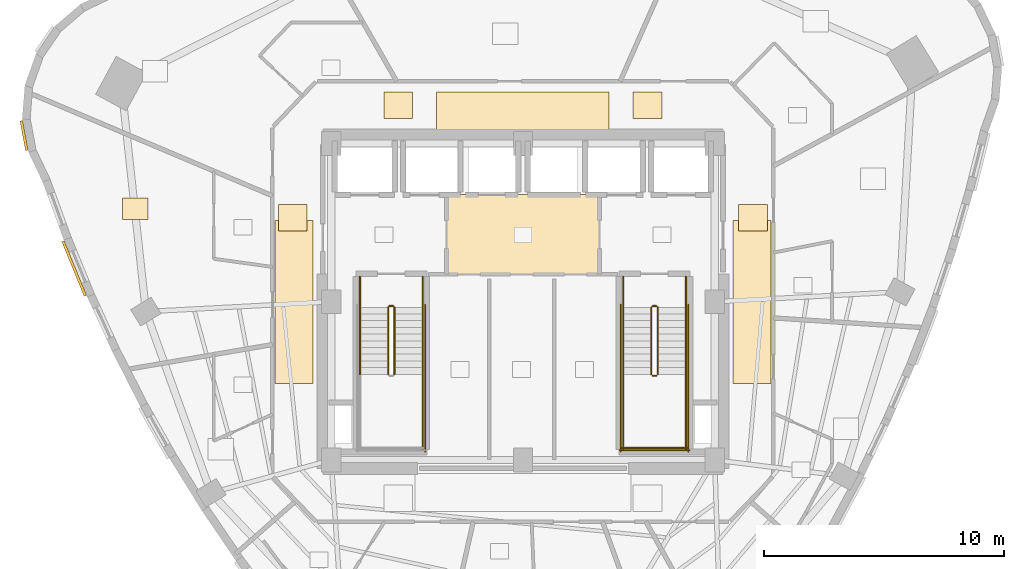
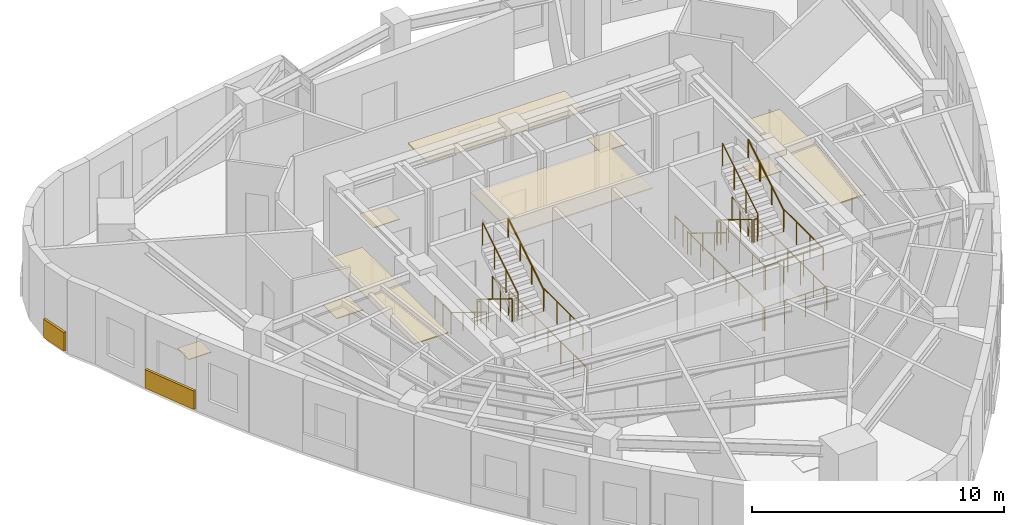
# One storey, part 10 of 11: 23 railings, 11 coverings.
"""IFC4 building model written with IfcOpenShell, lengths in metres."""

import ifcopenshell
import ifcopenshell.guid

model = None  # the IFC model being written
_history = None  # IfcOwnerHistory: only IFC2X3 demands one
_inside = {}  # id of a spatial element -> (the spatial element, [elements in it])
_under = {}  # id of a project, library or spatial element -> (it, [spatial elements below it])
_declared = {}  # id of a project -> (the project, [libraries it declares])
_typed = {}  # id of a type object -> (the type object, [elements of that type])
_made_of = {}  # id of a material, layer set ... -> (it, [elements and type objects made of it])


def new_model(schema):
    """Start an empty IFC model of exactly this schema.

    Asked for "IFC4X3", IfcOpenShell would pick the latest addendum, in which some entities
    have other attributes; the version numbers below select the first issue.
    IFC2X3 requires an IfcOwnerHistory on every rooted entity: one is made here for all.
    """
    global model, _history
    if schema == "IFC4X3":
        model = ifcopenshell.file(schema_version=(4, 3, 0, 0))
    else:
        model = ifcopenshell.file(schema=schema)
    _inside.clear()
    _under.clear()
    _declared.clear()
    _typed.clear()
    _made_of.clear()
    _history = None
    if model.schema == "IFC2X3":
        org = make("IfcOrganization", Name="unknown")
        user = make(
            "IfcPersonAndOrganization",
            ThePerson=make("IfcPerson", FamilyName="unknown"),
            TheOrganization=org,
        )
        app = make(
            "IfcApplication",
            ApplicationDeveloper=org,
            Version="unknown",
            ApplicationFullName="unknown",
            ApplicationIdentifier="unknown",
        )
        _history = make(
            "IfcOwnerHistory",
            OwningUser=user,
            OwningApplication=app,
            ChangeAction="ADDED",
            CreationDate=0,
        )
    return model


def make(cls, **values):
    """One entity of the class cls with the attributes given. An attribute that is None is left unset."""
    return model.create_entity(
        cls, **{name: value for name, value in values.items() if value is not None}
    )


def rooted(cls, **values):
    """An entity with a GlobalId (a new one), such as an element, a storey or a relation."""
    return make(cls, GlobalId=ifcopenshell.guid.new(), OwnerHistory=_history, **values)


def si_unit(unit_type, name, prefix=None):
    """IfcSIUnit, for example si_unit("LENGTHUNIT", "METRE", prefix="MILLI")."""
    return make("IfcSIUnit", UnitType=unit_type, Prefix=prefix, Name=name)


def assignment(units):
    """IfcUnitAssignment: the units of a project."""
    return None if units is None else make("IfcUnitAssignment", Units=units)


def point(xyz):
    """IfcCartesianPoint."""
    return None if xyz is None else make("IfcCartesianPoint", Coordinates=xyz)


def direction(xyz):
    """IfcDirection."""
    return None if xyz is None else make("IfcDirection", DirectionRatios=xyz)


def frame(location, z_axis=None, x_axis=None):
    """IfcAxis2Placement3D, a coordinate frame: its origin and axes. An axis left out is left unset."""
    return make(
        "IfcAxis2Placement3D",
        Location=point(location),
        Axis=direction(z_axis),
        RefDirection=direction(x_axis),
    )


def frame_2d(location, x_axis=None):
    """IfcAxis2Placement2D, a coordinate frame in the plane: its origin and x axis."""
    return make(
        "IfcAxis2Placement2D", Location=point(location), RefDirection=direction(x_axis)
    )


def origin():
    """The frame at (0, 0, 0) with its axes left unset."""
    return frame((0.0, 0.0, 0.0))


def origin_2d():
    """The frame at (0, 0) in the plane with its x axis left unset."""
    return frame_2d((0.0, 0.0))


def place(relative_to, where):
    """IfcLocalPlacement: puts the frame where relative to a parent placement (None: the world)."""
    return make(
        "IfcLocalPlacement", PlacementRelTo=relative_to, RelativePlacement=where
    )


def context(
    kind, dimensions, precision=None, world=None, true_north=None, identifier=None
):
    """IfcGeometricRepresentationContext, for example the 3D "Model" context."""
    return make(
        "IfcGeometricRepresentationContext",
        ContextIdentifier=identifier,
        ContextType=kind,
        CoordinateSpaceDimension=dimensions,
        Precision=precision,
        WorldCoordinateSystem=world,
        TrueNorth=true_north,
    )


def subcontext(parent, identifier, kind, view, scale=None):
    """IfcGeometricRepresentationSubContext, for example "Body" below "Model"."""
    return make(
        "IfcGeometricRepresentationSubContext",
        ContextIdentifier=identifier,
        ContextType=kind,
        ParentContext=parent,
        TargetScale=scale,
        TargetView=view,
    )


def project(units=None, contexts=None):
    """IfcProject with its units and contexts."""
    return rooted(
        "IfcProject",
        Name="project",
        RepresentationContexts=contexts,
        UnitsInContext=assignment(units),
    )


def spatial(cls, under=None, at=None, **own):
    """A site, building, storey or space (cls), placed at a placement, below another one or the project."""
    s = rooted(cls, ObjectPlacement=at, **own)
    if under is not None:
        _under.setdefault(under.id(), (under, []))[1].append(s)
    return s


def profile(cls, at=None, kind="AREA", **sizes):
    """A parametric profile (cls). Its sizes go by their IFC names, for example OverallWidth=200.0."""
    return make(cls, ProfileType=kind, Position=at, **sizes)


def rectangle(**sizes):
    """IfcRectangleProfileDef."""
    return profile("IfcRectangleProfileDef", **sizes)


def circle(**sizes):
    """IfcCircleProfileDef."""
    return profile("IfcCircleProfileDef", **sizes)


def extrude(swept, where, along, depth):
    """IfcExtrudedAreaSolid: the profile swept, set in the frame where, extruded along a direction by depth."""
    return make(
        "IfcExtrudedAreaSolid",
        SweptArea=swept,
        Position=where,
        ExtrudedDirection=direction(along),
        Depth=depth,
    )


def shape(context_of_items, identifier, shape_type, items):
    """IfcShapeRepresentation: the items that make up one representation, for example the "Body"."""
    return make(
        "IfcShapeRepresentation",
        ContextOfItems=context_of_items,
        RepresentationIdentifier=identifier,
        RepresentationType=shape_type,
        Items=items,
    )


def material(Name=None, Category=None):
    """IfcMaterial."""
    return make("IfcMaterial", Name=Name, Category=Category)


def layer(
    of_material, thickness, ventilated=None, Name=None, Category=None, Priority=None
):
    """IfcMaterialLayer: one layer of a wall or slab, of a material (None: an air gap)."""
    return make(
        "IfcMaterialLayer",
        Material=of_material,
        LayerThickness=thickness,
        IsVentilated=ventilated,
        Name=Name,
        Category=Category,
        Priority=Priority,
    )


def layer_set(layers, Name=None):
    """IfcMaterialLayerSet."""
    return make("IfcMaterialLayerSet", MaterialLayers=layers, LayerSetName=Name)


def made_of(thing, what):
    """Note that an element or type object is made of a material, layer set ...; save() writes the relation."""
    if what is not None:
        _made_of.setdefault(what.id(), (what, []))[1].append(thing)
    return thing


def type_object(cls, material=None, **own):
    """A type object (cls), such as IfcWallType, which elements share."""
    return made_of(rooted(cls, **own), material)


def element(
    cls,
    number,
    at=None,
    inside=None,
    cuts=None,
    type_object=None,
    material=None,
    context=None,
    identifier="Body",
    shape_type=None,
    held_by="IfcProductDefinitionShape",
    body=None,
    shapes=None,
    **own,
):
    """One element of the class cls, such as IfcWall. Its Tag is "e" and its number.

    at: its placement. inside: the storey or other place that contains it. cuts: it is an
    opening in that element (IfcRelVoidsElement). A single representation is given by context,
    identifier, shape_type and body (its items); several are given by shapes. held_by: the class
    of the entity that holds the representations. save() writes the other relations.
    """
    e = rooted(cls, Tag="e%d" % number, ObjectPlacement=at, **own)
    if body is not None:
        shapes = [shape(context, identifier, shape_type, body)]
    if shapes is not None:
        e.Representation = make(held_by, Representations=shapes)
    if inside is not None:
        _inside.setdefault(inside.id(), (inside, []))[1].append(e)
    if cuts is not None:
        rooted(
            "IfcRelVoidsElement", RelatingBuildingElement=cuts, RelatedOpeningElement=e
        )
    if type_object is not None:
        _typed.setdefault(type_object.id(), (type_object, []))[1].append(e)
    return made_of(e, material)


def aggregate(whole, parts):
    """IfcRelAggregates: a whole, such as a stair, and the parts it consists of."""
    return rooted("IfcRelAggregates", RelatingObject=whole, RelatedObjects=parts)


def save(model, path):
    """Write the relations noted so far, then the file.

    IfcRelAggregates (storeys below a building ...), IfcRelContainedInSpatialStructure (elements
    in a storey), IfcRelDefinesByType, IfcRelAssociatesMaterial and IfcRelDeclares: one each for
    every whole, place, type object, material and project.
    """
    for whole, parts in _under.values():
        aggregate(whole, parts)
    for where, things in _inside.values():
        rooted(
            "IfcRelContainedInSpatialStructure",
            RelatedElements=things,
            RelatingStructure=where,
        )
    for kind, things in _typed.values():
        rooted("IfcRelDefinesByType", RelatedObjects=things, RelatingType=kind)
    for what, things in _made_of.values():
        rooted("IfcRelAssociatesMaterial", RelatedObjects=things, RelatingMaterial=what)
    for by, libraries in _declared.values():
        rooted("IfcRelDeclares", RelatingContext=by, RelatedDefinitions=libraries)
    model.write(path)


model = new_model("IFC4")

# Units and contexts
model_context = context("Model", 3, precision=1e-05, world=origin(), true_north=direction((0.0, 1.0)))
body_context = subcontext(model_context, "Body", "Model", "MODEL_VIEW")
ifc_project = project(units=[si_unit("LENGTHUNIT", "METRE"), si_unit("AREAUNIT", "SQUARE_METRE"), si_unit("VOLUMEUNIT", "CUBIC_METRE"), si_unit("PLANEANGLEUNIT", "RADIAN"), si_unit("MASSUNIT", "GRAM", prefix="KILO")], contexts=[model_context])

# Site, building, storey
site_placement = place(None, origin())
site = spatial("IfcSite", under=ifc_project, at=site_placement, CompositionType="ELEMENT")
building_placement = place(site_placement, origin())
building = spatial("IfcBuilding", under=site, at=building_placement, Name="Ndelora Gate Hotel", CompositionType="ELEMENT")
storey_placement = place(building_placement, frame((0.0, 0.0, 224.550048828125)))
storey = spatial("IfcBuildingStorey", under=building, at=storey_placement, Name="L56", CompositionType="ELEMENT", Elevation=224.550048828125)

# Coverings
ifc_material_1 = material(Name="Perforated Acoustic Gypsum Board", Category="gypsum")
ifc_layer_1 = layer(ifc_material_1, 0.054931640625)
ifc_layer_set_1 = layer_set([ifc_layer_1], Name="Perforated Acoustic Gypsum Board")
covering_type_1 = type_object("IfcCoveringType", Name="COV-CEIL-AC60", PredefinedType="CEILING", material=ifc_layer_set_1)
covering_1_placement = place(storey_placement, frame((0.0, 2.800048828125, 2.72265625), z_axis=(0.0, 0.0, 1.0), x_axis=(1.0, 0.0, 0.0)))
element("IfcCovering", 1, at=covering_1_placement, inside=storey, type_object=covering_type_1, Name="L56 Lift Lobby Acoustic Ceiling", PredefinedType="CEILING", context=body_context, shape_type="SweptSolid", body=[
    extrude(rectangle(XDim=6.39990234375, YDim=3.340087890625, at=origin_2d()), origin(), (0.0, 0.0, 1.0), 0.054931640625),
])
covering_2_placement = place(storey_placement, frame((0.0, 7.9599609375, 2.65234375), z_axis=(0.0, 0.0, 1.0), x_axis=(1.0, 0.0, 0.0)))
element("IfcCovering", 2, at=covering_2_placement, inside=storey, type_object=covering_type_1, Name="L56 Guest Corridor Acoustic Ceiling N", PredefinedType="CEILING", context=body_context, shape_type="SweptSolid", body=[
    extrude(rectangle(XDim=7.199951171875, YDim=1.580078125, at=origin_2d()), origin(), (0.0, 0.0, 1.0), 0.054931640625),
])
for number, where, z_axis, x_axis, name in (
    (3, (-9.550048828125, 0.0, 2.65234375), (0.0, 0.0, 1.0), (1.0, 0.0, 0.0), "L56 Guest Corridor Acoustic Ceiling W"),
    (4, (9.550048828125, 0.0, 2.65234375), (0.0, 0.0, 1.0), (1.0, 0.0, 0.0), "L56 Guest Corridor Acoustic Ceiling E"),
):
    element("IfcCovering", number, at=place(storey_placement, frame(where, z_axis=z_axis, x_axis=x_axis)), inside=storey, type_object=covering_type_1, Name=name, PredefinedType="CEILING", context=body_context, shape_type="SweptSolid", body=[
        extrude(rectangle(XDim=1.580078125, YDim=6.800048828125, at=origin_2d()), origin(), (0.0, 0.0, 1.0), 0.054931640625),
    ])
ifc_material_2 = material(Name="Terracotta Fired Clay Brick Slip Cladding", Category="masonry")
ifc_layer_2 = layer(ifc_material_2, 0.110107421875)
ifc_layer_set_2 = layer_set([ifc_layer_2], Name="Terracotta Fired Clay Brick Slip Cladding")
covering_type_2 = type_object("IfcCoveringType", Name="COV-CLAD-BRK", PredefinedType="CLADDING", material=ifc_layer_set_2)
covering_3_placement = place(storey_placement, frame((-20.812744140625, 6.932861328125, 0.10009765625), z_axis=(0.0, 0.0, 1.0), x_axis=(-0.182235525492, 0.983254907564, 0.0)))
element("IfcCovering", 5, at=covering_3_placement, inside=storey, type_object=covering_type_2, Name="L56 Rounded-Corner Brick Cladding Band 7", PredefinedType="CLADDING", context=body_context, shape_type="SweptSolid", body=[
    extrude(rectangle(XDim=1.257080078125, YDim=0.110107421875, at=origin_2d()), origin(), (0.0, 0.0, 1.0), 0.89990234375),
])
covering_4_placement = place(storey_placement, frame((-18.722900390625, 1.38720703125, 0.10009765625), z_axis=(0.0, 0.0, 1.0), x_axis=(-0.379617633307, 0.925143476701, 0.0)))
element("IfcCovering", 6, at=covering_4_placement, inside=storey, type_object=covering_type_2, Name="L56 Rounded-Corner Brick Cladding Band 10", PredefinedType="CLADDING", context=body_context, shape_type="SweptSolid", body=[
    extrude(rectangle(XDim=2.4599609375, YDim=0.110107421875, at=origin_2d()), origin(), (0.0, 0.0, 1.0), 0.89990234375),
])
ifc_material_3 = material(Name="Engineered Highland Oak Parquet", Category="wood")
ifc_layer_3 = layer(ifc_material_3, 0.030029296875)
ifc_layer_set_3 = layer_set([ifc_layer_3], Name="Engineered Highland Oak Parquet")
covering_type_3 = type_object("IfcCoveringType", Name="COV-FLR-PARQ", PredefinedType="FLOORING", material=ifc_layer_set_3)
covering_5_placement = place(storey_placement, frame((-16.17578125, 3.88134765625, 0.0), z_axis=(0.0, 0.0, 1.0), x_axis=(1.0, 0.0, 0.0)))
element("IfcCovering", 7, at=covering_5_placement, inside=storey, type_object=covering_type_3, Name="L56 Executive Sky Suite 5905 Oak Parquet Flooring", PredefinedType="FLOORING", context=body_context, shape_type="SweptSolid", body=[
    extrude(rectangle(XDim=1.050048828125, YDim=0.89990234375, at=origin_2d()), origin(), (0.0, 0.0, 1.0), 0.030029296875),
])
ifc_material_4 = material(Name="Polished Highland Stone Terrazzo", Category="masonry")
ifc_layer_4 = layer(ifc_material_4, 0.034912109375)
ifc_layer_set_4 = layer_set([ifc_layer_4], Name="Polished Highland Stone Terrazzo")
covering_type_4 = type_object("IfcCoveringType", Name="COV-FLR-TERZ", PredefinedType="FLOORING", material=ifc_layer_set_4)
for number, where, z_axis, x_axis, name in (
    (8, (-5.199951171875, 8.199951171875, 0.0), (0.0, 0.0, 1.0), (1.0, 0.0, 0.0), "L56 Corridor Threshold Terrazzo Inlay NW"),
    (9, (5.199951171875, 8.199951171875, 0.0), (0.0, 0.0, 1.0), (1.0, 0.0, 0.0), "L56 Corridor Threshold Terrazzo Inlay NE"),
    (10, (-9.60009765625, 3.5, 0.0), (0.0, 0.0, 1.0), (1.0, 0.0, 0.0), "L56 Corridor Threshold Terrazzo Inlay W"),
    (11, (9.60009765625, 3.5, 0.0), (0.0, 0.0, 1.0), (1.0, 0.0, 0.0), "L56 Corridor Threshold Terrazzo Inlay E"),
):
    element("IfcCovering", number, at=place(storey_placement, frame(where, z_axis=z_axis, x_axis=x_axis)), inside=storey, type_object=covering_type_4, Name=name, PredefinedType="FLOORING", context=body_context, shape_type="SweptSolid", body=[
        extrude(rectangle(XDim=1.199951171875, YDim=1.10009765625, at=origin_2d()), origin(), (0.0, 0.0, 1.0), 0.034912109375),
    ])

# Railings
ifc_material_5 = material(Name="Painted Galvanized Steel Balustrade", Category="steel")
ifc_layer_5 = layer(ifc_material_5, 0.06005859375)
ifc_layer_set_5 = layer_set([ifc_layer_5], Name="Painted Galvanized Steel Balustrade")
railing_type_1 = type_object("IfcRailingType", Name="RL-STAIR-GD", PredefinedType="GUARDRAIL", material=ifc_layer_set_5)
railing_1_placement = place(storey_placement, frame((-5.6201171875, -0.22998046875, 0.172607421875)))
element("IfcRailing", 12, at=railing_1_placement, inside=storey, type_object=railing_type_1, Name="L56 ST4 stair guard 1", PredefinedType="GUARDRAIL", context=body_context, shape_type="SweptSolid", body=[
    extrude(circle(Radius=0.02392578125, at=origin_2d()), frame((0.0, 0.0, 1.10595703125), z_axis=(0.0, -0.851089632645, 0.525020415988), x_axis=(1.0, 0.0, 0.0)), (0.0, 0.0, 1.0), 3.2900390625),
    extrude(circle(Radius=0.02099609375, at=origin_2d()), origin(), (0.0, 0.0, 1.0), 1.081787109375),
    extrude(circle(Radius=0.02099609375, at=origin_2d()), frame((0.0, -0.933349609375, 0.57568359375)), (0.0, 0.0, 1.0), 1.081787109375),
    extrude(circle(Radius=0.02099609375, at=origin_2d()), frame((0.0, -1.86669921875, 1.151611328125)), (0.0, 0.0, 1.0), 1.081787109375),
    extrude(circle(Radius=0.02099609375, at=origin_2d()), frame((0.0, -2.800048828125, 1.727294921875)), (0.0, 0.0, 1.0), 1.081787109375),
])
railing_2_placement = place(storey_placement, frame((-4.179931640625, -3.030029296875, 1.89990234375)))
element("IfcRailing", 13, at=railing_2_placement, inside=storey, type_object=railing_type_1, Name="L56 ST4 stair guard 4", PredefinedType="GUARDRAIL", context=body_context, shape_type="SweptSolid", body=[
    extrude(circle(Radius=0.02392578125, at=origin_2d()), frame((0.0, 0.0, 1.10595703125), z_axis=(0.0, -1.0, 0.0), x_axis=(1.0, 0.0, 0.0)), (0.0, 0.0, 1.0), 3.119873046875),
    extrude(circle(Radius=0.02099609375, at=origin_2d()), origin(), (0.0, 0.0, 1.0), 1.081787109375),
    extrude(circle(Radius=0.02099609375, at=origin_2d()), frame((0.0, -1.0400390625, 0.0)), (0.0, 0.0, 1.0), 1.081787109375),
    extrude(circle(Radius=0.02099609375, at=origin_2d()), frame((0.0, -2.079833984375, 0.0)), (0.0, 0.0, 1.0), 1.081787109375),
    extrude(circle(Radius=0.02099609375, at=origin_2d()), frame((0.0, -3.119873046875, 0.0)), (0.0, 0.0, 1.0), 1.081787109375),
])
railing_3_placement = place(storey_placement, frame((-5.360107421875, -3.030029296875, 2.07275390625)))
element("IfcRailing", 14, at=railing_3_placement, inside=storey, type_object=railing_type_1, Name="L56 ST4 stair guard 6", PredefinedType="GUARDRAIL", context=body_context, shape_type="SweptSolid", body=[
    extrude(circle(Radius=0.02392578125, at=origin_2d()), frame((0.0, 0.0, 1.10595703125), z_axis=(0.0, 0.851089632645, 0.525020415988), x_axis=(-1.0, 0.0, 0.0)), (0.0, 0.0, 1.0), 3.2900390625),
    extrude(circle(Radius=0.02099609375, at=origin_2d()), origin(), (0.0, 0.0, 1.0), 1.081787109375),
    extrude(circle(Radius=0.02099609375, at=origin_2d()), frame((0.0, 0.933349609375, 0.57568359375)), (0.0, 0.0, 1.0), 1.081787109375),
    extrude(circle(Radius=0.02099609375, at=origin_2d()), frame((0.0, 1.86669921875, 1.151611328125)), (0.0, 0.0, 1.0), 1.081787109375),
    extrude(circle(Radius=0.02099609375, at=origin_2d()), frame((0.0, 2.800048828125, 1.727294921875)), (0.0, 0.0, 1.0), 1.081787109375),
])
railing_4_placement = place(storey_placement, frame((-5.570068359375, -0.179931640625, 0.0)))
element("IfcRailing", 15, at=railing_4_placement, inside=storey, type_object=railing_type_1, Name="L56 ST4 stair guard 7", PredefinedType="GUARDRAIL", context=body_context, shape_type="SweptSolid", body=[
    extrude(circle(Radius=0.02392578125, at=origin_2d()), frame((0.0, 0.0, 1.10595703125), z_axis=(1.0, 0.0, 0.0), x_axis=(0.0, 1.0, 0.0)), (0.0, 0.0, 1.0), 0.16015625),
    extrude(circle(Radius=0.02099609375, at=origin_2d()), origin(), (0.0, 0.0, 1.0), 1.081787109375),
    extrude(circle(Radius=0.02099609375, at=origin_2d()), frame((0.16015625, 0.0, 0.0)), (0.0, 0.0, 1.0), 1.081787109375),
])
for number, where, name in (
    (16, (-6.800048828125, 1.050048828125, 0.0), "L56 ST4 stair guard 8"),
    (17, (-4.179931640625, 1.050048828125, 0.0), "L56 ST4 stair guard 9"),
):
    element("IfcRailing", number, at=place(storey_placement, frame(where)), inside=storey, type_object=railing_type_1, Name=name, PredefinedType="GUARDRAIL", context=body_context, shape_type="SweptSolid", body=[
        extrude(circle(Radius=0.02392578125, at=origin_2d()), frame((0.0, 0.0, 1.10595703125), z_axis=(0.0, -1.0, 0.0), x_axis=(1.0, 0.0, 0.0)), (0.0, 0.0, 1.0), 1.280029296875),
        extrude(circle(Radius=0.02099609375, at=origin_2d()), origin(), (0.0, 0.0, 1.0), 1.081787109375),
        extrude(circle(Radius=0.02099609375, at=origin_2d()), frame((0.0, -0.64013671875, 0.0)), (0.0, 0.0, 1.0), 1.081787109375),
        extrude(circle(Radius=0.02099609375, at=origin_2d()), frame((0.0, -1.280029296875, 0.0)), (0.0, 0.0, 1.0), 1.081787109375),
    ])
railing_5_placement = place(storey_placement, frame((-4.080078125, -0.1298828125, 0.0)))
element("IfcRailing", 18, at=railing_5_placement, inside=storey, type_object=railing_type_1, Name="L56 ST4 stair guard 11", PredefinedType="GUARDRAIL", context=body_context, shape_type="SweptSolid", body=[
    extrude(circle(Radius=0.02392578125, at=origin_2d()), frame((0.0, 0.0, 1.10595703125), z_axis=(0.0, -1.0, 0.0), x_axis=(1.0, 0.0, 0.0)), (0.0, 0.0, 1.0), 6.1201171875),
    extrude(circle(Radius=0.02099609375, at=origin_2d()), origin(), (0.0, 0.0, 1.0), 1.081787109375),
    extrude(circle(Radius=0.02099609375, at=origin_2d()), frame((0.0, -1.02001953125, 0.0)), (0.0, 0.0, 1.0), 1.081787109375),
    extrude(circle(Radius=0.02099609375, at=origin_2d()), frame((0.0, -2.0400390625, 0.0)), (0.0, 0.0, 1.0), 1.081787109375),
    extrude(circle(Radius=0.02099609375, at=origin_2d()), frame((0.0, -3.06005859375, 0.0)), (0.0, 0.0, 1.0), 1.081787109375),
    extrude(circle(Radius=0.02099609375, at=origin_2d()), frame((0.0, -4.080078125, 0.0)), (0.0, 0.0, 1.0), 1.081787109375),
    extrude(circle(Radius=0.02099609375, at=origin_2d()), frame((0.0, -5.10009765625, 0.0)), (0.0, 0.0, 1.0), 1.081787109375),
    extrude(circle(Radius=0.02099609375, at=origin_2d()), frame((0.0, -6.1201171875, 0.0)), (0.0, 0.0, 1.0), 1.081787109375),
])
railing_6_placement = place(storey_placement, frame((5.360107421875, -0.22998046875, 0.172607421875)))
element("IfcRailing", 19, at=railing_6_placement, inside=storey, type_object=railing_type_1, Name="L56 ST5 stair guard 1", PredefinedType="GUARDRAIL", context=body_context, shape_type="SweptSolid", body=[
    extrude(circle(Radius=0.02392578125, at=origin_2d()), frame((0.0, 0.0, 1.10595703125), z_axis=(0.0, -0.851089632645, 0.525020415988), x_axis=(1.0, 0.0, 0.0)), (0.0, 0.0, 1.0), 3.2900390625),
    extrude(circle(Radius=0.02099609375, at=origin_2d()), origin(), (0.0, 0.0, 1.0), 1.081787109375),
    extrude(circle(Radius=0.02099609375, at=origin_2d()), frame((0.0, -0.933349609375, 0.57568359375)), (0.0, 0.0, 1.0), 1.081787109375),
    extrude(circle(Radius=0.02099609375, at=origin_2d()), frame((0.0, -1.86669921875, 1.151611328125)), (0.0, 0.0, 1.0), 1.081787109375),
    extrude(circle(Radius=0.02099609375, at=origin_2d()), frame((0.0, -2.800048828125, 1.727294921875)), (0.0, 0.0, 1.0), 1.081787109375),
])
railing_7_placement = place(storey_placement, frame((5.409912109375, -3.080078125, 1.89990234375)))
element("IfcRailing", 20, at=railing_7_placement, inside=storey, type_object=railing_type_1, Name="L56 ST5 stair guard 2", PredefinedType="GUARDRAIL", context=body_context, shape_type="SweptSolid", body=[
    extrude(circle(Radius=0.02392578125, at=origin_2d()), frame((0.0, 0.0, 1.10595703125), z_axis=(1.0, 0.0, 0.0), x_axis=(0.0, 1.0, 0.0)), (0.0, 0.0, 1.0), 0.16015625),
    extrude(circle(Radius=0.02099609375, at=origin_2d()), origin(), (0.0, 0.0, 1.0), 1.081787109375),
    extrude(circle(Radius=0.02099609375, at=origin_2d()), frame((0.16015625, 0.0, 0.0)), (0.0, 0.0, 1.0), 1.081787109375),
])
for number, where, name in (
    (21, (4.179931640625, -3.030029296875, 1.89990234375), "L56 ST5 stair guard 3"),
    (22, (6.800048828125, -3.030029296875, 1.89990234375), "L56 ST5 stair guard 4"),
):
    element("IfcRailing", number, at=place(storey_placement, frame(where)), inside=storey, type_object=railing_type_1, Name=name, PredefinedType="GUARDRAIL", context=body_context, shape_type="SweptSolid", body=[
        extrude(circle(Radius=0.02392578125, at=origin_2d()), frame((0.0, 0.0, 1.10595703125), z_axis=(0.0, -1.0, 0.0), x_axis=(1.0, 0.0, 0.0)), (0.0, 0.0, 1.0), 3.119873046875),
        extrude(circle(Radius=0.02099609375, at=origin_2d()), origin(), (0.0, 0.0, 1.0), 1.081787109375),
        extrude(circle(Radius=0.02099609375, at=origin_2d()), frame((0.0, -1.0400390625, 0.0)), (0.0, 0.0, 1.0), 1.081787109375),
        extrude(circle(Radius=0.02099609375, at=origin_2d()), frame((0.0, -2.079833984375, 0.0)), (0.0, 0.0, 1.0), 1.081787109375),
        extrude(circle(Radius=0.02099609375, at=origin_2d()), frame((0.0, -3.119873046875, 0.0)), (0.0, 0.0, 1.0), 1.081787109375),
    ])
railing_8_placement = place(storey_placement, frame((4.1298828125, -6.10009765625, 1.89990234375)))
element("IfcRailing", 23, at=railing_8_placement, inside=storey, type_object=railing_type_1, Name="L56 ST5 stair guard 5", PredefinedType="GUARDRAIL", context=body_context, shape_type="SweptSolid", body=[
    extrude(circle(Radius=0.02392578125, at=origin_2d()), frame((0.0, 0.0, 1.10595703125), z_axis=(1.0, 0.0, 0.0), x_axis=(0.0, 1.0, 0.0)), (0.0, 0.0, 1.0), 2.72021484375),
    extrude(circle(Radius=0.02099609375, at=origin_2d()), origin(), (0.0, 0.0, 1.0), 1.081787109375),
    extrude(circle(Radius=0.02099609375, at=origin_2d()), frame((0.90673828125, 0.0, 0.0)), (0.0, 0.0, 1.0), 1.081787109375),
    extrude(circle(Radius=0.02099609375, at=origin_2d()), frame((1.8134765625, 0.0, 0.0)), (0.0, 0.0, 1.0), 1.081787109375),
    extrude(circle(Radius=0.02099609375, at=origin_2d()), frame((2.72021484375, 0.0, 0.0)), (0.0, 0.0, 1.0), 1.081787109375),
])
railing_9_placement = place(storey_placement, frame((5.6201171875, -3.030029296875, 2.07275390625)))
element("IfcRailing", 24, at=railing_9_placement, inside=storey, type_object=railing_type_1, Name="L56 ST5 stair guard 6", PredefinedType="GUARDRAIL", context=body_context, shape_type="SweptSolid", body=[
    extrude(circle(Radius=0.02392578125, at=origin_2d()), frame((0.0, 0.0, 1.10595703125), z_axis=(0.0, 0.851089632645, 0.525020415988), x_axis=(-1.0, 0.0, 0.0)), (0.0, 0.0, 1.0), 3.2900390625),
    extrude(circle(Radius=0.02099609375, at=origin_2d()), origin(), (0.0, 0.0, 1.0), 1.081787109375),
    extrude(circle(Radius=0.02099609375, at=origin_2d()), frame((0.0, 0.933349609375, 0.57568359375)), (0.0, 0.0, 1.0), 1.081787109375),
    extrude(circle(Radius=0.02099609375, at=origin_2d()), frame((0.0, 1.86669921875, 1.151611328125)), (0.0, 0.0, 1.0), 1.081787109375),
    extrude(circle(Radius=0.02099609375, at=origin_2d()), frame((0.0, 2.800048828125, 1.727294921875)), (0.0, 0.0, 1.0), 1.081787109375),
])
railing_10_placement = place(storey_placement, frame((5.409912109375, -0.179931640625, 0.0)))
element("IfcRailing", 25, at=railing_10_placement, inside=storey, type_object=railing_type_1, Name="L56 ST5 stair guard 7", PredefinedType="GUARDRAIL", context=body_context, shape_type="SweptSolid", body=[
    extrude(circle(Radius=0.02392578125, at=origin_2d()), frame((0.0, 0.0, 1.10595703125), z_axis=(1.0, 0.0, 0.0), x_axis=(0.0, 1.0, 0.0)), (0.0, 0.0, 1.0), 0.16015625),
    extrude(circle(Radius=0.02099609375, at=origin_2d()), origin(), (0.0, 0.0, 1.0), 1.081787109375),
    extrude(circle(Radius=0.02099609375, at=origin_2d()), frame((0.16015625, 0.0, 0.0)), (0.0, 0.0, 1.0), 1.081787109375),
])
for number, where, name in (
    (26, (4.179931640625, 1.050048828125, 0.0), "L56 ST5 stair guard 8"),
    (27, (6.800048828125, 1.050048828125, 0.0), "L56 ST5 stair guard 9"),
):
    element("IfcRailing", number, at=place(storey_placement, frame(where)), inside=storey, type_object=railing_type_1, Name=name, PredefinedType="GUARDRAIL", context=body_context, shape_type="SweptSolid", body=[
        extrude(circle(Radius=0.02392578125, at=origin_2d()), frame((0.0, 0.0, 1.10595703125), z_axis=(0.0, -1.0, 0.0), x_axis=(1.0, 0.0, 0.0)), (0.0, 0.0, 1.0), 1.280029296875),
        extrude(circle(Radius=0.02099609375, at=origin_2d()), origin(), (0.0, 0.0, 1.0), 1.081787109375),
        extrude(circle(Radius=0.02099609375, at=origin_2d()), frame((0.0, -0.64013671875, 0.0)), (0.0, 0.0, 1.0), 1.081787109375),
        extrude(circle(Radius=0.02099609375, at=origin_2d()), frame((0.0, -1.280029296875, 0.0)), (0.0, 0.0, 1.0), 1.081787109375),
    ])
for number, where, name in (
    (28, (4.080078125, -0.1298828125, 0.0), "L56 ST5 stair guard 10"),
    (29, (6.89990234375, -0.1298828125, 0.0), "L56 ST5 stair guard 11"),
):
    element("IfcRailing", number, at=place(storey_placement, frame(where)), inside=storey, type_object=railing_type_1, Name=name, PredefinedType="GUARDRAIL", context=body_context, shape_type="SweptSolid", body=[
        extrude(circle(Radius=0.02392578125, at=origin_2d()), frame((0.0, 0.0, 1.10595703125), z_axis=(0.0, -1.0, 0.0), x_axis=(1.0, 0.0, 0.0)), (0.0, 0.0, 1.0), 6.1201171875),
        extrude(circle(Radius=0.02099609375, at=origin_2d()), origin(), (0.0, 0.0, 1.0), 1.081787109375),
        extrude(circle(Radius=0.02099609375, at=origin_2d()), frame((0.0, -1.02001953125, 0.0)), (0.0, 0.0, 1.0), 1.081787109375),
        extrude(circle(Radius=0.02099609375, at=origin_2d()), frame((0.0, -2.0400390625, 0.0)), (0.0, 0.0, 1.0), 1.081787109375),
        extrude(circle(Radius=0.02099609375, at=origin_2d()), frame((0.0, -3.06005859375, 0.0)), (0.0, 0.0, 1.0), 1.081787109375),
        extrude(circle(Radius=0.02099609375, at=origin_2d()), frame((0.0, -4.080078125, 0.0)), (0.0, 0.0, 1.0), 1.081787109375),
        extrude(circle(Radius=0.02099609375, at=origin_2d()), frame((0.0, -5.10009765625, 0.0)), (0.0, 0.0, 1.0), 1.081787109375),
        extrude(circle(Radius=0.02099609375, at=origin_2d()), frame((0.0, -6.1201171875, 0.0)), (0.0, 0.0, 1.0), 1.081787109375),
    ])
railing_11_placement = place(storey_placement, frame((4.030029296875, -6.199951171875, 0.0)))
element("IfcRailing", 30, at=railing_11_placement, inside=storey, type_object=railing_type_1, Name="L56 ST5 stair guard 12", PredefinedType="GUARDRAIL", context=body_context, shape_type="SweptSolid", body=[
    extrude(circle(Radius=0.02392578125, at=origin_2d()), frame((0.0, 0.0, 1.10595703125), z_axis=(1.0, 0.0, 0.0), x_axis=(0.0, 1.0, 0.0)), (0.0, 0.0, 1.0), 2.919921875),
    extrude(circle(Radius=0.02099609375, at=origin_2d()), origin(), (0.0, 0.0, 1.0), 1.081787109375),
    extrude(circle(Radius=0.02099609375, at=origin_2d()), frame((0.973388671875, 0.0, 0.0)), (0.0, 0.0, 1.0), 1.081787109375),
    extrude(circle(Radius=0.02099609375, at=origin_2d()), frame((1.946533203125, 0.0, 0.0)), (0.0, 0.0, 1.0), 1.081787109375),
    extrude(circle(Radius=0.02099609375, at=origin_2d()), frame((2.919921875, 0.0, 0.0)), (0.0, 0.0, 1.0), 1.081787109375),
])
ifc_material_6 = material(Name="Brushed Stainless Steel 316", Category="steel")
ifc_layer_6 = layer(ifc_material_6, 0.050048828125)
ifc_layer_set_6 = layer_set([ifc_layer_6], Name="Brushed Stainless Steel 316")
railing_type_2 = type_object("IfcRailingType", Name="RL-STAIR-HR", PredefinedType="HANDRAIL", material=ifc_layer_set_6)
railing_12_placement = place(storey_placement, frame((-6.800048828125, -0.22998046875, 0.172607421875)))
element("IfcRailing", 31, at=railing_12_placement, inside=storey, type_object=railing_type_2, Name="L56 ST4 stair handrail 1", PredefinedType="HANDRAIL", context=body_context, shape_type="SweptSolid", body=[
    extrude(circle(Radius=0.02392578125, at=origin_2d()), frame((0.0, 0.0, 0.8759765625), z_axis=(0.0, -0.851089632645, 0.525020415988), x_axis=(1.0, 0.0, 0.0)), (0.0, 0.0, 1.0), 3.2900390625),
    extrude(circle(Radius=0.02099609375, at=origin_2d()), origin(), (0.0, 0.0, 1.0), 0.851806640625),
    extrude(circle(Radius=0.02099609375, at=origin_2d()), frame((0.0, -0.933349609375, 0.57568359375)), (0.0, 0.0, 1.0), 0.851806640625),
    extrude(circle(Radius=0.02099609375, at=origin_2d()), frame((0.0, -1.86669921875, 1.151611328125)), (0.0, 0.0, 1.0), 0.851806640625),
    extrude(circle(Radius=0.02099609375, at=origin_2d()), frame((0.0, -2.800048828125, 1.727294921875)), (0.0, 0.0, 1.0), 0.851806640625),
])
railing_13_placement = place(storey_placement, frame((-4.179931640625, -3.030029296875, 2.07275390625)))
element("IfcRailing", 32, at=railing_13_placement, inside=storey, type_object=railing_type_2, Name="L56 ST4 stair handrail 2", PredefinedType="HANDRAIL", context=body_context, shape_type="SweptSolid", body=[
    extrude(circle(Radius=0.02392578125, at=origin_2d()), frame((0.0, 0.0, 0.8759765625), z_axis=(0.0, 0.851089632645, 0.525020415988), x_axis=(-1.0, 0.0, 0.0)), (0.0, 0.0, 1.0), 3.2900390625),
    extrude(circle(Radius=0.02099609375, at=origin_2d()), origin(), (0.0, 0.0, 1.0), 0.851806640625),
    extrude(circle(Radius=0.02099609375, at=origin_2d()), frame((0.0, 0.933349609375, 0.57568359375)), (0.0, 0.0, 1.0), 0.851806640625),
    extrude(circle(Radius=0.02099609375, at=origin_2d()), frame((0.0, 1.86669921875, 1.151611328125)), (0.0, 0.0, 1.0), 0.851806640625),
    extrude(circle(Radius=0.02099609375, at=origin_2d()), frame((0.0, 2.800048828125, 1.727294921875)), (0.0, 0.0, 1.0), 0.851806640625),
])
railing_14_placement = place(storey_placement, frame((4.179931640625, -0.22998046875, 0.172607421875)))
element("IfcRailing", 33, at=railing_14_placement, inside=storey, type_object=railing_type_2, Name="L56 ST5 stair handrail 1", PredefinedType="HANDRAIL", context=body_context, shape_type="SweptSolid", body=[
    extrude(circle(Radius=0.02392578125, at=origin_2d()), frame((0.0, 0.0, 0.8759765625), z_axis=(0.0, -0.851089632645, 0.525020415988), x_axis=(1.0, 0.0, 0.0)), (0.0, 0.0, 1.0), 3.2900390625),
    extrude(circle(Radius=0.02099609375, at=origin_2d()), origin(), (0.0, 0.0, 1.0), 0.851806640625),
    extrude(circle(Radius=0.02099609375, at=origin_2d()), frame((0.0, -0.933349609375, 0.57568359375)), (0.0, 0.0, 1.0), 0.851806640625),
    extrude(circle(Radius=0.02099609375, at=origin_2d()), frame((0.0, -1.86669921875, 1.151611328125)), (0.0, 0.0, 1.0), 0.851806640625),
    extrude(circle(Radius=0.02099609375, at=origin_2d()), frame((0.0, -2.800048828125, 1.727294921875)), (0.0, 0.0, 1.0), 0.851806640625),
])
railing_15_placement = place(storey_placement, frame((6.800048828125, -3.030029296875, 2.07275390625)))
element("IfcRailing", 34, at=railing_15_placement, inside=storey, type_object=railing_type_2, Name="L56 ST5 stair handrail 2", PredefinedType="HANDRAIL", context=body_context, shape_type="SweptSolid", body=[
    extrude(circle(Radius=0.02392578125, at=origin_2d()), frame((0.0, 0.0, 0.8759765625), z_axis=(0.0, 0.851089632645, 0.525020415988), x_axis=(-1.0, 0.0, 0.0)), (0.0, 0.0, 1.0), 3.2900390625),
    extrude(circle(Radius=0.02099609375, at=origin_2d()), origin(), (0.0, 0.0, 1.0), 0.851806640625),
    extrude(circle(Radius=0.02099609375, at=origin_2d()), frame((0.0, 0.933349609375, 0.57568359375)), (0.0, 0.0, 1.0), 0.851806640625),
    extrude(circle(Radius=0.02099609375, at=origin_2d()), frame((0.0, 1.86669921875, 1.151611328125)), (0.0, 0.0, 1.0), 0.851806640625),
    extrude(circle(Radius=0.02099609375, at=origin_2d()), frame((0.0, 2.800048828125, 1.727294921875)), (0.0, 0.0, 1.0), 0.851806640625),
])

save(model, "model.ifc")
